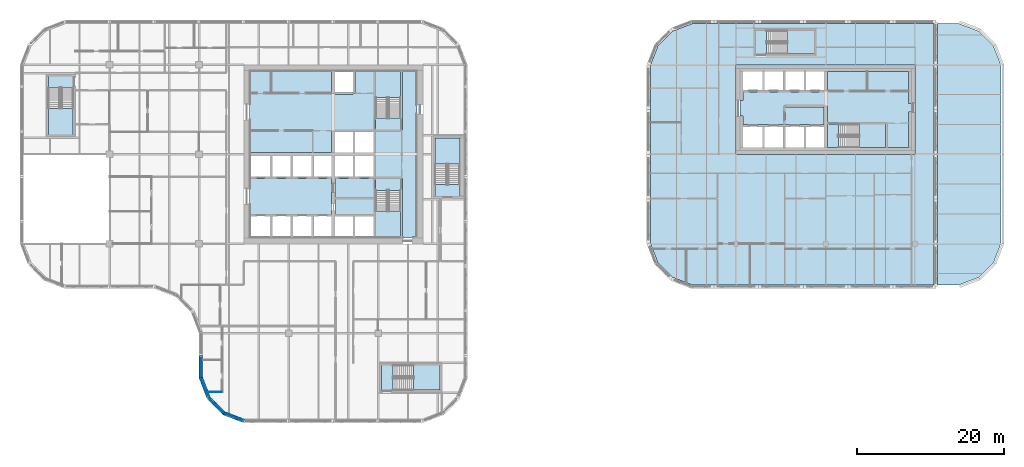
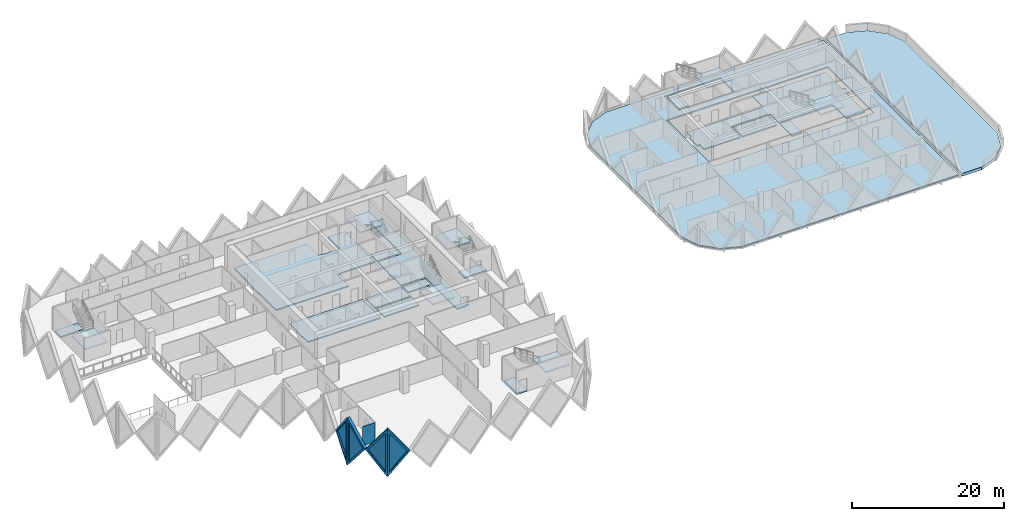
# One storey, part 3 of 18: 23 slabs, 5 walls, 4 plates, 4 openings, 7 elements without a shape of their own.
"""IFC4 building model written with IfcOpenShell, lengths in metres."""

from ifc_helpers import new_model, si_unit, direction, frame, frame_2d, origin, place, context, subcontext, project, spatial, polyline, rectangle, outline, extrude, faceted_brep, source, transform, mapped, material, layer, layer_set, type_object, element, fill, aggregate, save


model = new_model("IFC4")

# Units and contexts
model_context = context("Model", 3, precision=1e-05, world=origin(), true_north=direction((0.0, 1.0)))
body_context = subcontext(model_context, "Body", "Model", "MODEL_VIEW")
ifc_project = project(units=[si_unit("LENGTHUNIT", "METRE"), si_unit("AREAUNIT", "SQUARE_METRE"), si_unit("VOLUMEUNIT", "CUBIC_METRE"), si_unit("PLANEANGLEUNIT", "RADIAN"), si_unit("MASSUNIT", "GRAM", prefix="KILO")], contexts=[model_context])

# Site, building, storey
site_placement = place(None, origin())
site = spatial("IfcSite", under=ifc_project, at=site_placement, CompositionType="ELEMENT")
building_placement = place(site_placement, origin())
building = spatial("IfcBuilding", under=site, at=building_placement, Name="Tessera Gate Towers", CompositionType="ELEMENT")
storey_placement = place(building_placement, frame((0.0, 0.0, 95.199951171875)))
storey = spatial("IfcBuildingStorey", under=building, at=storey_placement, Name="L23", CompositionType="ELEMENT", Elevation=95.199951171875)

# Slabs
ifc_material_1 = material(Name="Concrete C35/45", Category="concrete")
ifc_layer_1 = layer(ifc_material_1, 0.199951171875)
ifc_layer_set_1 = layer_set([ifc_layer_1], Name="COMPOSITE FLOOR 200")
slab_type_1 = type_object("IfcSlabType", Name="COMPOSITE FLOOR 200", PredefinedType="FLOOR", material=ifc_layer_set_1)
slab_1_placement = place(storey_placement, frame((0.0, 0.0, -0.199951171875)))
element("IfcSlab", 1, at=slab_1_placement, inside=storey, type_object=slab_type_1, Name="T2-L23", PredefinedType="FLOOR", context=body_context, shape_type="SweptSolid", body=[
    extrude(outline(polyline([(85.89990234375, 24.4931640625), (86.926025390625, 21.8330078125), (88.93310546875, 19.826171875), (91.593017578125, 18.800048828125), (124.550048828125, 18.800048828125), (124.550048828125, 54.39990234375), (91.593017578125, 54.39990234375), (88.93310546875, 53.373779296875), (86.926025390625, 51.366943359375), (85.89990234375, 48.706787109375), (85.89990234375, 24.4931640625)]), holes=[polyline([(97.60009765625, 36.60009765625), (97.60009765625, 48.800048828125), (122.0, 48.800048828125), (122.0, 36.60009765625), (97.60009765625, 36.60009765625)]), polyline([(100.0, 50.0), (100.0, 53.699951171875), (108.5, 53.699951171875), (108.5, 50.0), (100.0, 50.0)])]), origin(), (0.0, 0.0, 1.0), 0.199951171875),
])
ifc_material_2 = material(Name="Concrete C35/45", Category="concrete")
ifc_layer_2 = layer(ifc_material_2, 0.199951171875)
ifc_layer_set_2 = layer_set([ifc_layer_2], Name="CORE FLOOR SLAB 200")
slab_type_2 = type_object("IfcSlabType", Name="CORE FLOOR SLAB 200", PredefinedType="FLOOR", material=ifc_layer_set_2)
slab_2_placement = place(storey_placement, frame((0.0, 0.0, -0.199951171875)))
element("IfcSlab", 2, at=slab_2_placement, inside=storey, type_object=slab_type_2, Name="L23 core floor slab", PredefinedType="FLOOR", context=body_context, shape_type="SweptSolid", body=[
    extrude(outline(polyline([(31.39990234375, 47.89990234375), (31.39990234375, 43.39990234375), (31.300048828125, 43.39990234375), (31.300048828125, 41.300048828125), (31.39990234375, 41.300048828125), (31.39990234375, 36.85009765625), (42.449951171875, 36.85009765625), (42.449951171875, 39.800048828125), (42.949951171875, 39.800048828125), (42.949951171875, 39.925048828125), (48.22509765625, 39.925048828125), (48.22509765625, 47.89990234375), (45.64990234375, 47.89990234375), (45.64990234375, 44.89990234375), (45.39990234375, 44.89990234375), (45.39990234375, 44.77490234375), (42.949951171875, 44.77490234375), (42.949951171875, 44.89990234375), (42.449951171875, 44.89990234375), (42.449951171875, 47.89990234375), (31.39990234375, 47.89990234375)])), origin(), (0.0, 0.0, 1.0), 0.199951171875),
])
slab_3_placement = place(storey_placement, frame((0.0, 0.0, -0.199951171875)))
element("IfcSlab", 3, at=slab_3_placement, inside=storey, type_object=slab_type_2, Name="L23 core floor slab", PredefinedType="FLOOR", context=body_context, shape_type="SweptSolid", body=[
    extrude(outline(polyline([(52.199951171875, 25.199951171875), (53.39990234375, 25.199951171875), (53.39990234375, 25.300048828125), (54.0, 25.300048828125), (54.0, 36.320068359375), (54.10009765625, 36.320068359375), (54.10009765625, 36.8798828125), (54.0, 36.8798828125), (54.0, 42.10009765625), (54.10009765625, 42.10009765625), (54.10009765625, 43.300048828125), (54.0, 43.300048828125), (54.0, 47.89990234375), (52.125, 47.89990234375), (52.125, 39.925048828125), (52.0, 39.925048828125), (52.0, 39.675048828125), (48.47509765625, 39.675048828125), (48.47509765625, 36.85009765625), (48.35009765625, 36.85009765625), (48.35009765625, 36.35009765625), (48.47509765625, 36.35009765625), (48.47509765625, 33.52490234375), (52.0, 33.52490234375), (52.0, 33.27490234375), (52.125, 33.27490234375), (52.125, 25.300048828125), (52.199951171875, 25.300048828125), (52.199951171875, 25.199951171875)])), origin(), (0.0, 0.0, 1.0), 0.199951171875),
])
slab_4_placement = place(storey_placement, frame((0.0, 0.0, -0.199951171875)))
element("IfcSlab", 4, at=slab_4_placement, inside=storey, type_object=slab_type_2, Name="L23 core floor slab", PredefinedType="FLOOR", context=body_context, shape_type="SweptSolid", body=[
    extrude(outline(polyline([(31.39990234375, 29.800048828125), (31.39990234375, 28.425048828125), (42.449951171875, 28.425048828125), (42.449951171875, 33.27490234375), (31.39990234375, 33.27490234375), (31.39990234375, 31.89990234375), (31.300048828125, 31.89990234375), (31.300048828125, 29.800048828125), (31.39990234375, 29.800048828125)])), origin(), (0.0, 0.0, 1.0), 0.199951171875),
])
slab_5_placement = place(storey_placement, frame((0.0, 0.0, -0.199951171875)))
element("IfcSlab", 5, at=slab_5_placement, inside=storey, type_object=slab_type_2, Name="L23 core floor slab", PredefinedType="FLOOR", context=body_context, shape_type="SweptSolid", body=[
    extrude(outline(polyline([(42.949951171875, 33.27490234375), (42.949951171875, 30.72509765625), (48.22509765625, 30.72509765625), (48.22509765625, 33.27490234375), (42.949951171875, 33.27490234375)])), origin(), (0.0, 0.0, 1.0), 0.199951171875),
])
slab_6_placement = place(storey_placement, frame((0.0, 0.0, -0.199951171875)))
element("IfcSlab", 6, at=slab_6_placement, inside=storey, type_object=slab_type_2, Name="L23 core floor slab", PredefinedType="FLOOR", context=body_context, shape_type="SweptSolid", body=[
    extrude(outline(polyline([(42.949951171875, 30.47509765625), (42.949951171875, 28.425048828125), (48.22509765625, 28.425048828125), (48.22509765625, 30.47509765625), (42.949951171875, 30.47509765625)])), origin(), (0.0, 0.0, 1.0), 0.199951171875),
])
slab_7_placement = place(storey_placement, frame((0.0, 0.0, -0.199951171875)))
element("IfcSlab", 7, at=slab_7_placement, inside=storey, type_object=slab_type_2, Name="L23 core floor slab", PredefinedType="FLOOR", context=body_context, shape_type="SweptSolid", body=[
    extrude(outline(polyline([(51.875, 31.675048828125), (51.875, 33.27490234375), (48.47509765625, 33.27490234375), (48.47509765625, 31.675048828125), (51.875, 31.675048828125)])), origin(), (0.0, 0.0, 1.0), 0.199951171875),
])
slab_8_placement = place(storey_placement, frame((0.0, 0.0, -0.199951171875)))
element("IfcSlab", 8, at=slab_8_placement, inside=storey, type_object=slab_type_2, Name="L23 core floor slab", PredefinedType="FLOOR", context=body_context, shape_type="SweptSolid", body=[
    extrude(outline(polyline([(48.47509765625, 41.52490234375), (48.47509765625, 39.925048828125), (51.875, 39.925048828125), (51.875, 41.52490234375), (48.47509765625, 41.52490234375)])), origin(), (0.0, 0.0, 1.0), 0.199951171875),
])
slab_9_placement = place(storey_placement, frame((0.0, 0.0, -0.199951171875)))
element("IfcSlab", 9, at=slab_9_placement, inside=storey, type_object=slab_type_2, Name="L23 ST3 floor landing", PredefinedType="FLOOR", context=body_context, shape_type="SweptSolid", body=[
    extrude(outline(polyline([(3.85009765625, 47.25), (3.85009765625, 45.64990234375), (7.25, 45.64990234375), (7.25, 47.25), (3.85009765625, 47.25)])), origin(), (0.0, 0.0, 1.0), 0.199951171875),
])
slab_10_placement = place(storey_placement, frame((0.0, 0.0, -0.199951171875)))
element("IfcSlab", 10, at=slab_10_placement, inside=storey, type_object=slab_type_2, Name="L23 ST4 floor landing", PredefinedType="FLOOR", context=body_context, shape_type="SweptSolid", body=[
    extrude(outline(polyline([(49.25, 4.449951171875), (50.85009765625, 4.449951171875), (50.85009765625, 7.85009765625), (49.25, 7.85009765625), (49.25, 4.449951171875)])), origin(), (0.0, 0.0, 1.0), 0.199951171875),
])
slab_11_placement = place(storey_placement, frame((0.0, 0.0, -0.199951171875)))
element("IfcSlab", 11, at=slab_11_placement, inside=storey, type_object=slab_type_2, Name="L23 ST5 floor landing", PredefinedType="FLOOR", context=body_context, shape_type="SweptSolid", body=[
    extrude(outline(polyline([(59.949951171875, 30.85009765625), (59.949951171875, 32.449951171875), (56.550048828125, 32.449951171875), (56.550048828125, 30.85009765625), (59.949951171875, 30.85009765625)])), origin(), (0.0, 0.0, 1.0), 0.199951171875),
])
slab_12_placement = place(storey_placement, frame((0.0, 0.0, -0.199951171875)))
element("IfcSlab", 12, at=slab_12_placement, inside=storey, type_object=slab_type_2, Name="L23 core floor slab", PredefinedType="FLOOR", context=body_context, shape_type="SweptSolid", body=[
    extrude(outline(polyline([(109.550048828125, 45.199951171875), (109.550048828125, 45.074951171875), (98.5, 45.074951171875), (98.5, 43.89990234375), (98.10009765625, 43.89990234375), (98.10009765625, 41.800048828125), (98.5, 41.800048828125), (98.5, 40.625), (104.02490234375, 40.625), (104.02490234375, 43.199951171875), (104.27490234375, 43.199951171875), (104.27490234375, 43.324951171875), (109.550048828125, 43.324951171875), (109.550048828125, 43.199951171875), (110.050048828125, 43.199951171875), (110.050048828125, 40.949951171875), (118.10009765625, 40.949951171875), (118.10009765625, 40.699951171875), (118.22509765625, 40.699951171875), (118.22509765625, 37.5), (121.10009765625, 37.5), (121.10009765625, 42.35009765625), (121.5, 42.35009765625), (121.5, 43.550048828125), (121.10009765625, 43.550048828125), (121.10009765625, 47.89990234375), (110.050048828125, 47.89990234375), (110.050048828125, 45.199951171875), (109.550048828125, 45.199951171875)])), origin(), (0.0, 0.0, 1.0), 0.199951171875),
])
slab_13_placement = place(storey_placement, frame((0.0, 0.0, -0.199951171875)))
element("IfcSlab", 13, at=slab_13_placement, inside=storey, type_object=slab_type_2, Name="L23 core floor slab", PredefinedType="FLOOR", context=body_context, shape_type="SweptSolid", body=[
    extrude(outline(polyline([(109.550048828125, 43.074951171875), (104.27490234375, 43.074951171875), (104.27490234375, 40.625), (109.550048828125, 40.625), (109.550048828125, 43.074951171875)])), origin(), (0.0, 0.0, 1.0), 0.199951171875),
])
slab_14_placement = place(storey_placement, frame((0.0, 0.0, -0.199951171875)))
element("IfcSlab", 14, at=slab_14_placement, inside=storey, type_object=slab_type_2, Name="L23 core floor slab", PredefinedType="FLOOR", context=body_context, shape_type="SweptSolid", body=[
    extrude(outline(polyline([(111.550048828125, 37.5), (111.550048828125, 40.699951171875), (110.050048828125, 40.699951171875), (110.050048828125, 37.5), (111.550048828125, 37.5)])), origin(), (0.0, 0.0, 1.0), 0.199951171875),
])
slab_15_placement = place(storey_placement, frame((0.0, 0.0, -0.199951171875)))
element("IfcSlab", 15, at=slab_15_placement, inside=storey, type_object=slab_type_2, Name="L23 ST7 floor landing", PredefinedType="FLOOR", context=body_context, shape_type="SweptSolid", body=[
    extrude(outline(polyline([(100.25, 50.25), (101.75, 50.25), (101.75, 53.449951171875), (100.25, 53.449951171875), (100.25, 50.25)])), origin(), (0.0, 0.0, 1.0), 0.199951171875),
])

# Stair, slab
ifc_material_3 = material(Name="Concrete C40/50", Category="concrete")
stair_type_1 = type_object("IfcStairType", Name="EXIT STAIR ST1 1600", PredefinedType="HALF_TURN_STAIR", material=ifc_material_3)
stair_1_placement = place(storey_placement, origin())
stair_1 = element("IfcStair", 16, at=stair_1_placement, inside=storey, type_object=stair_type_1, Name="L23 Protected Exit Stair ST1", PredefinedType="HALF_TURN_STAIR")
ifc_material_4 = material(Name="Concrete C40/50", Category="concrete")
ifc_layer_3 = layer(ifc_material_4, 0.199951171875)
ifc_layer_set_3 = layer_set([ifc_layer_3], Name="EXIT STAIR LANDING 200")
slab_type_3 = type_object("IfcSlabType", Name="EXIT STAIR LANDING 200", PredefinedType="LANDING", material=ifc_layer_set_3)
slab_16_placement = place(storey_placement, frame((0.0, 0.0, 1.699951171875)))
slab_16 = element("IfcSlab", 17, at=slab_16_placement, type_object=slab_type_3, Name="ST1 landing 1", PredefinedType="LANDING", context=body_context, shape_type="SweptSolid", body=[
    extrude(outline(polyline([(48.47509765625, 28.875), (48.47509765625, 25.300048828125), (51.875, 25.300048828125), (51.875, 28.875), (48.47509765625, 28.875)])), origin(), (0.0, 0.0, 1.0), 0.2001953125),
])
aggregate(stair_1, [slab_16])

ifc_material_5 = material(Name="Concrete C40/50", Category="concrete")
stair_type_2 = type_object("IfcStairType", Name="EXIT STAIR ST2 1600", PredefinedType="HALF_TURN_STAIR", material=ifc_material_5)
stair_2_placement = place(storey_placement, origin())
stair_2 = element("IfcStair", 18, at=stair_2_placement, inside=storey, type_object=stair_type_2, Name="L23 Protected Exit Stair ST2", PredefinedType="HALF_TURN_STAIR")
slab_17_placement = place(storey_placement, frame((0.0, 0.0, 1.699951171875)))
slab_17 = element("IfcSlab", 19, at=slab_17_placement, type_object=slab_type_3, Name="ST2 landing 1", PredefinedType="LANDING", context=body_context, shape_type="SweptSolid", body=[
    extrude(outline(polyline([(51.875, 44.324951171875), (51.875, 47.89990234375), (48.47509765625, 47.89990234375), (48.47509765625, 44.324951171875), (51.875, 44.324951171875)])), origin(), (0.0, 0.0, 1.0), 0.2001953125),
])
aggregate(stair_2, [slab_17])

ifc_material_6 = material(Name="Concrete C40/50", Category="concrete")
stair_type_3 = type_object("IfcStairType", Name="EXIT STAIR ST3 1600", PredefinedType="HALF_TURN_STAIR", material=ifc_material_6)
stair_3_placement = place(storey_placement, origin())
stair_3 = element("IfcStair", 20, at=stair_3_placement, inside=storey, type_object=stair_type_3, Name="L23 West Exit Stair ST3", PredefinedType="HALF_TURN_STAIR")
slab_18_placement = place(storey_placement, frame((0.0, 0.0, 1.699951171875)))
slab_18 = element("IfcSlab", 21, at=slab_18_placement, type_object=slab_type_3, Name="ST3 landing 1", PredefinedType="LANDING", context=body_context, shape_type="SweptSolid", body=[
    extrude(outline(polyline([(3.85009765625, 42.85009765625), (3.85009765625, 39.25), (7.25, 39.25), (7.25, 42.85009765625), (3.85009765625, 42.85009765625)])), origin(), (0.0, 0.0, 1.0), 0.2001953125),
])
aggregate(stair_3, [slab_18])

ifc_material_7 = material(Name="Concrete C40/50", Category="concrete")
stair_type_4 = type_object("IfcStairType", Name="EXIT STAIR ST4 1600", PredefinedType="HALF_TURN_STAIR", material=ifc_material_7)
stair_4_placement = place(storey_placement, origin())
stair_4 = element("IfcStair", 22, at=stair_4_placement, inside=storey, type_object=stair_type_4, Name="L23 South Exit Stair ST4", PredefinedType="HALF_TURN_STAIR")
slab_19_placement = place(storey_placement, frame((0.0, 0.0, 1.699951171875)))
slab_19 = element("IfcSlab", 23, at=slab_19_placement, type_object=slab_type_3, Name="ST4 landing 1", PredefinedType="LANDING", context=body_context, shape_type="SweptSolid", body=[
    extrude(outline(polyline([(53.64990234375, 4.449951171875), (57.25, 4.449951171875), (57.25, 7.85009765625), (53.64990234375, 7.85009765625), (53.64990234375, 4.449951171875)])), origin(), (0.0, 0.0, 1.0), 0.2001953125),
])
aggregate(stair_4, [slab_19])

ifc_material_8 = material(Name="Concrete C40/50", Category="concrete")
stair_type_5 = type_object("IfcStairType", Name="EXIT STAIR ST5 1600", PredefinedType="HALF_TURN_STAIR", material=ifc_material_8)
stair_5_placement = place(storey_placement, origin())
stair_5 = element("IfcStair", 24, at=stair_5_placement, inside=storey, type_object=stair_type_5, Name="L23 East Exit Stair ST5", PredefinedType="HALF_TURN_STAIR")
slab_20_placement = place(storey_placement, frame((0.0, 0.0, 1.699951171875)))
slab_20 = element("IfcSlab", 25, at=slab_20_placement, type_object=slab_type_3, Name="ST5 landing 1", PredefinedType="LANDING", context=body_context, shape_type="SweptSolid", body=[
    extrude(outline(polyline([(59.949951171875, 35.25), (59.949951171875, 38.85009765625), (56.550048828125, 38.85009765625), (56.550048828125, 35.25), (59.949951171875, 35.25)])), origin(), (0.0, 0.0, 1.0), 0.2001953125),
])
aggregate(stair_5, [slab_20])

ifc_material_9 = material(Name="Concrete C40/50", Category="concrete")
stair_type_6 = type_object("IfcStairType", Name="EXIT STAIR ST6 1500", PredefinedType="HALF_TURN_STAIR", material=ifc_material_9)
stair_6_placement = place(storey_placement, origin())
stair_6 = element("IfcStair", 26, at=stair_6_placement, inside=storey, type_object=stair_type_6, Name="L23 Protected Exit Stair ST6", PredefinedType="HALF_TURN_STAIR")
slab_21_placement = place(storey_placement, frame((0.0, 0.0, 1.699951171875)))
slab_21 = element("IfcSlab", 27, at=slab_21_placement, type_object=slab_type_3, Name="ST6 landing 1", PredefinedType="LANDING", context=body_context, shape_type="SweptSolid", body=[
    extrude(outline(polyline([(114.35009765625, 37.5), (117.97509765625, 37.5), (117.97509765625, 40.699951171875), (114.35009765625, 40.699951171875), (114.35009765625, 37.5)])), origin(), (0.0, 0.0, 1.0), 0.2001953125),
])
aggregate(stair_6, [slab_21])

ifc_material_10 = material(Name="Concrete C40/50", Category="concrete")
stair_type_7 = type_object("IfcStairType", Name="EXIT STAIR ST7 1500", PredefinedType="HALF_TURN_STAIR", material=ifc_material_10)
stair_7_placement = place(storey_placement, origin())
stair_7 = element("IfcStair", 28, at=stair_7_placement, inside=storey, type_object=stair_type_7, Name="L23 North Exit Stair ST7", PredefinedType="HALF_TURN_STAIR")
slab_22_placement = place(storey_placement, frame((0.0, 0.0, 1.699951171875)))
slab_22 = element("IfcSlab", 29, at=slab_22_placement, type_object=slab_type_3, Name="ST7 landing 1", PredefinedType="LANDING", context=body_context, shape_type="SweptSolid", body=[
    extrude(outline(polyline([(104.550048828125, 50.25), (108.25, 50.25), (108.25, 53.449951171875), (104.550048828125, 53.449951171875), (104.550048828125, 50.25)])), origin(), (0.0, 0.0, 1.0), 0.2001953125),
])
aggregate(stair_7, [slab_22])

# Slab
ifc_material_11 = material(Name="Concrete C35/45", Category="concrete")
ifc_layer_4 = layer(ifc_material_11, 0.449951171875)
ifc_layer_set_4 = layer_set([ifc_layer_4], Name="ROOF SLAB 450")
slab_type_4 = type_object("IfcSlabType", Name="ROOF SLAB 450", PredefinedType="ROOF", material=ifc_layer_set_4)
slab_23_placement = place(storey_placement, frame((0.0, 0.0, -0.449951171875)))
element("IfcSlab", 30, at=slab_23_placement, inside=storey, type_object=slab_type_4, Name="T2-ROOF-EAST", PredefinedType="ROOF", context=body_context, shape_type="SweptSolid", body=[
    extrude(outline(polyline([(125.050048828125, 18.800048828125), (128.0068359375, 18.800048828125), (130.6669921875, 19.826171875), (132.673828125, 21.8330078125), (133.699951171875, 24.4931640625), (133.699951171875, 48.706787109375), (132.673828125, 51.366943359375), (130.6669921875, 53.373779296875), (128.0068359375, 54.39990234375), (125.050048828125, 54.39990234375), (125.050048828125, 18.800048828125)])), origin(), (0.0, 0.0, 1.0), 0.449951171875),
])

# Wall
ifc_material_12 = material(Name="Glass", Category="glass")
ifc_layer_5 = layer(ifc_material_12, 0.10009765625)
ifc_layer_set_5 = layer_set([ifc_layer_5], Name="GLAZED PARTITION 100")
wall_type_1 = type_object("IfcWallType", Name="GLAZED PARTITION 100", PredefinedType="PARTITIONING", material=ifc_layer_set_5)
wall_1_placement = place(storey_placement, frame((25.668701171875, 4.199951171875, 0.0), z_axis=(0.0, 0.0, 1.0), x_axis=(1.0, 0.0, 0.0)))
element("IfcWall", 31, at=wall_1_placement, inside=storey, type_object=wall_type_1, Name="T1-L23-PW-003", PredefinedType="PARTITIONING", context=body_context, shape_type="SweptSolid", body=[
    extrude(rectangle(XDim=1.855224609375, YDim=0.10009765625, at=frame_2d((0.927734375, 0.0))), origin(), (0.0, 0.0, 1.0), 3.067138671875),
])

# Wall, opening, plate
ifc_material_13 = material(Name="Precast concrete C60/75 white", Category="concrete")
ifc_layer_6 = layer(ifc_material_13, 0.5)
ifc_layer_set_6 = layer_set([ifc_layer_6], Name="TS3 corner tessera")
wall_type_2 = type_object("IfcWallType", Name="TS3 corner tessera", PredefinedType="SOLIDWALL", material=ifc_layer_set_6)
shared_shape_1 = source(origin(), body_context, "Body", "Brep", [
    faceted_brep([(3.00341796875, -0.25, 0.0), (3.050048828125, -0.25, 0.06005859375), (3.050048828125, -0.25, 7.5400390625), (3.00341796875, -0.25, 7.60009765625), (0.0, -0.25, 3.800048828125), (0.0, 0.25, 3.800048828125), (2.956787109375, 0.25, 7.541259765625), (2.956787109375, 0.25, 0.058837890625), (3.00341796875, 0.000244140625, 0.0), (3.00341796875, 0.000244140625, 7.60009765625)], [[[0, 1, 2, 3, 4]], [[5, 6, 7]], [[1, 0, 8]], [[9, 3, 2]], [[6, 5, 4, 3, 9]], [[5, 7, 8, 0, 4]], [[1, 8, 7, 6, 9, 2]]]),
])
wall_2_placement = place(storey_placement, frame((24.64990234375, 9.14990234375, -3.800048828125), z_axis=(0.0, 0.0, 1.0), x_axis=(0.0, -1.0, 0.0)))
wall_2 = element("IfcWall", 32, at=wall_2_placement, inside=storey, type_object=wall_type_2, Name="Precast corner tessera T1 TS3-0525", PredefinedType="SOLIDWALL", context=body_context, shape_type="MappedRepresentation", body=[
    mapped(shared_shape_1, transform((0.0, 0.0, 0.0), scale=1.0)),
])
shared_shape_2 = source(origin(), body_context, "Body", "SweptSolid", [
    extrude(outline(polyline([(2.803466796875, 6.94384765625), (0.318603515625, 3.800048828125), (2.803466796875, 0.65625), (2.803466796875, 6.94384765625)])), frame((0.0, 0.260009765625, 0.0), z_axis=(0.0, -1.0, 0.0), x_axis=(1.0, 0.0, 0.0)), (0.0, 0.0, 1.0), 0.52001953125),
])
opening_1_placement = place(wall_2_placement, origin())
opening_1 = element("IfcOpeningElement", 33, at=opening_1_placement, cuts=wall_2, Name="Opening T1-PL2-0795", PredefinedType="OPENING", context=body_context, shape_type="MappedRepresentation", body=[
    mapped(shared_shape_2, transform((0.0, 0.0, 0.0), scale=1.0)),
])
ifc_material_14 = material(Name="Low-e laminated glass", Category="glass")
ifc_layer_7 = layer(ifc_material_14, 0.06005859375)
ifc_layer_set_7 = layer_set([ifc_layer_7], Name="PL2 rhombic pane")
plate_type = type_object("IfcPlateType", Name="PL2 rhombic pane", PredefinedType="SHEET", material=ifc_layer_set_7)
shared_shape_3 = source(origin(), body_context, "Body", "SweptSolid", [
    extrude(outline(polyline([(2.803466796875, 6.94384765625), (0.318603515625, 3.800048828125), (2.803466796875, 0.65625), (2.803466796875, 6.94384765625)])), frame((0.0, 0.030029296875, 0.0), z_axis=(0.0, -1.0, 0.0), x_axis=(1.0, 0.0, 0.0)), (0.0, 0.0, 1.0), 0.06005859375),
])
plate_1_placement = place(opening_1_placement, origin())
plate_1 = element("IfcPlate", 34, at=plate_1_placement, inside=storey, type_object=plate_type, Name="Glass pane T1 PL2-0795", PredefinedType="SHEET", context=body_context, shape_type="MappedRepresentation", body=[
    mapped(shared_shape_3, transform((0.0, 0.0, 0.0), scale=1.0)),
])
fill(opening_1, plate_1)

shared_shape_4 = source(origin(), body_context, "Body", "Brep", [
    faceted_brep([(0.046630859375, -0.25, 0.0), (2.9970703125, -0.25, 3.800048828125), (0.046630859375, -0.25, 7.60009765625), (0.0, -0.25, 7.541259765625), (0.0, -0.25, 0.058837890625), (0.09326171875, 0.25, 7.5400390625), (2.9443359375, 0.25, 3.8681640625), (2.9443359375, 0.25, 3.73193359375), (0.09326171875, 0.25, 0.06005859375), (2.9970703125, 0.00048828125, 3.800048828125), (0.046630859375, 0.0, 0.0), (0.046630859375, 0.0, 7.60009765625)], [[[0, 1, 2, 3, 4]], [[5, 6, 7, 8]], [[8, 7, 9, 1, 0, 10]], [[6, 5, 11, 2, 1, 9]], [[3, 2, 11]], [[10, 0, 4]], [[8, 10, 4, 3, 11, 5]], [[9, 7, 6]]]),
])
wall_3_placement = place(storey_placement, frame((24.63330078125, 6.18994140625, -3.800048828125), z_axis=(0.0, 0.0, 1.0), x_axis=(0.359901446078, -0.932990326376, 0.0)))
wall_3 = element("IfcWall", 35, at=wall_3_placement, inside=storey, type_object=wall_type_2, Name="Precast corner tessera T1 TS3-0526", PredefinedType="SOLIDWALL", context=body_context, shape_type="MappedRepresentation", body=[
    mapped(shared_shape_4, transform((0.0, 0.0, 0.0), scale=1.0)),
])
shared_shape_5 = source(origin(), body_context, "Body", "SweptSolid", [
    extrude(outline(polyline([(0.24658203125, 0.665283203125), (2.6806640625, 3.800048828125), (0.24658203125, 6.934814453125), (0.24658203125, 0.665283203125)])), frame((0.0, 0.260009765625, 0.0), z_axis=(0.0, -1.0, 0.0), x_axis=(1.0, 0.0, 0.0)), (0.0, 0.0, 1.0), 0.52001953125),
])
opening_2_placement = place(wall_3_placement, origin())
opening_2 = element("IfcOpeningElement", 36, at=opening_2_placement, cuts=wall_3, Name="Opening T1-PL2-0796", PredefinedType="OPENING", context=body_context, shape_type="MappedRepresentation", body=[
    mapped(shared_shape_5, transform((0.0, 0.0, 0.0), scale=1.0)),
])
shared_shape_6 = source(origin(), body_context, "Body", "SweptSolid", [
    extrude(outline(polyline([(0.24658203125, 0.665283203125), (2.6806640625, 3.800048828125), (0.24658203125, 6.934814453125), (0.24658203125, 0.665283203125)])), frame((0.0, 0.030029296875, 0.0), z_axis=(0.0, -1.0, 0.0), x_axis=(1.0, 0.0, 0.0)), (0.0, 0.0, 1.0), 0.06005859375),
])
plate_2_placement = place(opening_2_placement, origin())
plate_2 = element("IfcPlate", 37, at=plate_2_placement, inside=storey, type_object=plate_type, Name="Glass pane T1 PL2-0796", PredefinedType="SHEET", context=body_context, shape_type="MappedRepresentation", body=[
    mapped(shared_shape_6, transform((0.0, 0.0, 0.0), scale=1.0)),
])
fill(opening_2, plate_2)

shared_shape_7 = source(origin(), body_context, "Body", "Brep", [
    faceted_brep([(0.052978515625, -0.25, 0.0), (3.00341796875, -0.25, 3.800048828125), (0.052978515625, -0.25, 7.60009765625), (0.0, -0.25, 7.53173828125), (0.0, -0.25, 0.068359375), (0.10595703125, 0.25, 7.531982421875), (2.95703125, 0.25, 3.85986328125), (2.95703125, 0.25, 3.740234375), (0.10595703125, 0.25, 0.068115234375), (3.00341796875, 0.00048828125, 3.800048828125), (0.052978515625, 0.0, 0.0), (0.052978515625, 0.0, 7.60009765625)], [[[0, 1, 2, 3, 4]], [[5, 6, 7, 8]], [[8, 7, 9, 1, 0, 10]], [[6, 5, 11, 2, 1, 9]], [[3, 2, 11]], [[10, 0, 4]], [[8, 10, 4, 3, 11, 5]], [[9, 7, 6]]]),
])
wall_4_placement = place(storey_placement, frame((27.744384765625, 1.3310546875, -3.800048828125), z_axis=(0.0, 0.0, 1.0), x_axis=(0.932970071518, -0.359953949349, 0.0)))
wall_4 = element("IfcWall", 38, at=wall_4_placement, inside=storey, type_object=wall_type_2, Name="Precast corner tessera T1 TS3-0528", PredefinedType="SOLIDWALL", context=body_context, shape_type="MappedRepresentation", body=[
    mapped(shared_shape_7, transform((0.0, 0.0, 0.0), scale=1.0)),
])
shared_shape_8 = source(origin(), body_context, "Body", "SweptSolid", [
    extrude(outline(polyline([(0.2529296875, 0.665283203125), (2.68701171875, 3.800048828125), (0.2529296875, 6.934814453125), (0.2529296875, 0.665283203125)])), frame((0.0, 0.260009765625, 0.0), z_axis=(0.0, -1.0, 0.0), x_axis=(1.0, 0.0, 0.0)), (0.0, 0.0, 1.0), 0.52001953125),
])
opening_3_placement = place(wall_4_placement, origin())
opening_3 = element("IfcOpeningElement", 39, at=opening_3_placement, cuts=wall_4, Name="Opening T1-PL2-0798", PredefinedType="OPENING", context=body_context, shape_type="MappedRepresentation", body=[
    mapped(shared_shape_8, transform((0.0, 0.0, 0.0), scale=1.0)),
])
shared_shape_9 = source(origin(), body_context, "Body", "SweptSolid", [
    extrude(outline(polyline([(0.2529296875, 0.665283203125), (2.68701171875, 3.800048828125), (0.2529296875, 6.934814453125), (0.2529296875, 0.665283203125)])), frame((0.0, 0.030029296875, 0.0), z_axis=(0.0, -1.0, 0.0), x_axis=(1.0, 0.0, 0.0)), (0.0, 0.0, 1.0), 0.06005859375),
])
plate_3_placement = place(opening_3_placement, origin())
plate_3 = element("IfcPlate", 40, at=plate_3_placement, inside=storey, type_object=plate_type, Name="Glass pane T1 PL2-0798", PredefinedType="SHEET", context=body_context, shape_type="MappedRepresentation", body=[
    mapped(shared_shape_9, transform((0.0, 0.0, 0.0), scale=1.0)),
])
fill(opening_3, plate_3)

shared_shape_10 = source(origin(), body_context, "Body", "Brep", [
    faceted_brep([(2.944091796875, -0.25, 0.0), (2.9970703125, -0.25, 0.068115234375), (2.9970703125, -0.25, 7.531982421875), (2.944091796875, -0.25, 7.60009765625), (0.0, -0.25, 3.800048828125), (0.052978515625, 0.25, 3.868408203125), (2.89111328125, 0.25, 7.531982421875), (2.89111328125, 0.25, 0.068115234375), (0.052978515625, 0.25, 3.731689453125), (2.944091796875, 0.000244140625, 0.0), (2.944091796875, 0.000244140625, 7.60009765625), (0.0, 0.0, 3.800048828125)], [[[0, 1, 2, 3, 4]], [[5, 6, 7, 8]], [[1, 0, 9]], [[10, 3, 2]], [[6, 5, 11, 4, 3, 10]], [[8, 7, 9, 0, 4, 11]], [[8, 11, 5]], [[1, 9, 7, 6, 10, 2]]]),
])
wall_5_placement = place(storey_placement, frame((25.7119140625, 3.393798828125, -3.800048828125), z_axis=(0.0, 0.0, 1.0), x_axis=(0.707066050402, -0.707147509625, 0.0)))
wall_5 = element("IfcWall", 41, at=wall_5_placement, inside=storey, type_object=wall_type_2, Name="Precast corner tessera T1 TS3-0527", PredefinedType="SOLIDWALL", context=body_context, shape_type="MappedRepresentation", body=[
    mapped(shared_shape_10, transform((0.0, 0.0, 0.0), scale=1.0)),
])
shared_shape_11 = source(origin(), body_context, "Body", "SweptSolid", [
    extrude(outline(polyline([(2.744140625, 6.933837890625), (0.316162109375, 3.800048828125), (2.744140625, 0.66650390625), (2.744140625, 6.933837890625)])), frame((0.0, 0.260009765625, 0.0), z_axis=(0.0, -1.0, 0.0), x_axis=(1.0, 0.0, 0.0)), (0.0, 0.0, 1.0), 0.52001953125),
])
opening_4_placement = place(wall_5_placement, origin())
opening_4 = element("IfcOpeningElement", 42, at=opening_4_placement, cuts=wall_5, Name="Opening T1-PL2-0797", PredefinedType="OPENING", context=body_context, shape_type="MappedRepresentation", body=[
    mapped(shared_shape_11, transform((0.0, 0.0, 0.0), scale=1.0)),
])
shared_shape_12 = source(origin(), body_context, "Body", "SweptSolid", [
    extrude(outline(polyline([(2.744140625, 6.933837890625), (0.316162109375, 3.800048828125), (2.744140625, 0.66650390625), (2.744140625, 6.933837890625)])), frame((0.0, 0.030029296875, 0.0), z_axis=(0.0, -1.0, 0.0), x_axis=(1.0, 0.0, 0.0)), (0.0, 0.0, 1.0), 0.06005859375),
])
plate_4_placement = place(opening_4_placement, origin())
plate_4 = element("IfcPlate", 43, at=plate_4_placement, inside=storey, type_object=plate_type, Name="Glass pane T1 PL2-0797", PredefinedType="SHEET", context=body_context, shape_type="MappedRepresentation", body=[
    mapped(shared_shape_12, transform((0.0, 0.0, 0.0), scale=1.0)),
])
fill(opening_4, plate_4)

save(model, "model.ifc")
